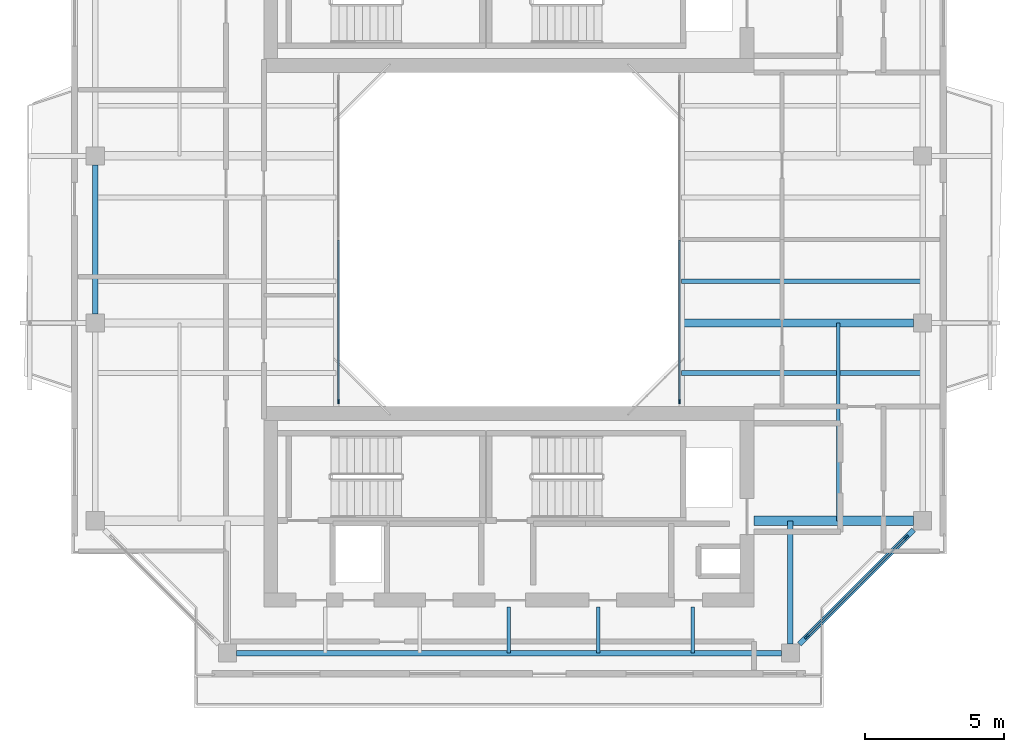
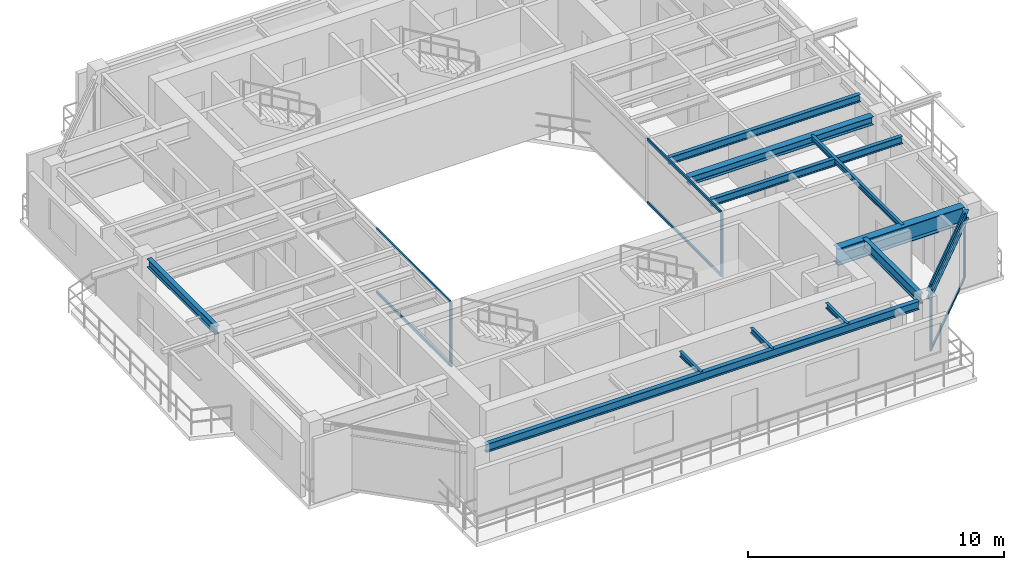
# One storey, part 4 of 15: 12 beams, 10 members, 3 elements without a shape of their own.
"""IFC4 building model written with IfcOpenShell, lengths in metres."""

from ifc_helpers import new_model, si_unit, direction, frame, origin, origin_2d, place, context, subcontext, project, spatial, rectangle, i_section, extrude, source, transform, mapped, material, layer, layer_set, material_profile, profile_set, type_object, element, aggregate, save


model = new_model("IFC4")

# Units and contexts
model_context = context("Model", 3, precision=1e-05, world=origin(), true_north=direction((0.0, 1.0)))
body_context = subcontext(model_context, "Body", "Model", "MODEL_VIEW")
ifc_project = project(units=[si_unit("LENGTHUNIT", "METRE"), si_unit("AREAUNIT", "SQUARE_METRE"), si_unit("VOLUMEUNIT", "CUBIC_METRE"), si_unit("PLANEANGLEUNIT", "RADIAN"), si_unit("MASSUNIT", "GRAM", prefix="KILO"), si_unit("THERMODYNAMICTEMPERATUREUNIT", "KELVIN"), si_unit("POWERUNIT", "WATT")], contexts=[model_context])

# Site, building, storey
site_placement = place(None, origin())
site = spatial("IfcSite", under=ifc_project, at=site_placement, CompositionType="ELEMENT")
building_placement = place(site_placement, origin())
building = spatial("IfcBuilding", under=site, at=building_placement, Name="Qiaomeng Ring Towers", CompositionType="ELEMENT")
storey_placement = place(building_placement, frame((0.0, 0.0, 237.25)))
storey = spatial("IfcBuildingStorey", under=building, at=storey_placement, Name="L69", CompositionType="ELEMENT", Elevation=237.25)

# Beams
ifc_material_1 = material(Name="Steel Q355B", Category="steel")
ifc_material_profile_1 = material_profile(ifc_material_1, i_section(OverallWidth=0.198974609375, OverallDepth=0.39599609375, WebThickness=0.007080078125, FlangeThickness=0.010986328125, FilletRadius=0.01611328125, at=origin_2d()), Name="HN 396x199x7x11")
ifc_profile_set_1 = profile_set([ifc_material_profile_1], Name="Steel Q355B")
beam_type_1 = type_object("IfcBeamType", Name="STR-BM-HN396", PredefinedType="SPANDREL", material=ifc_profile_set_1)
shared_shape_1 = source(origin(), body_context, "Body", "SweptSolid", [
    extrude(i_section(OverallWidth=0.198974609375, OverallDepth=0.39599609375, WebThickness=0.007080078125, FlangeThickness=0.010986328125, FilletRadius=0.01611328125, at=origin_2d()), origin(), (0.0, 0.0, 1.0), 19.5517578125),
])
beam_1_placement = place(storey_placement, frame((9.22412109375, 8.14990234375, 2.8720703125), z_axis=(1.0, 0.0, 0.0), x_axis=(0.0, 1.0, 0.0)))
element("IfcBeam", 1, at=beam_1_placement, inside=storey, type_object=beam_type_1, Name="L69 beam STR-SP-L69-T1-S1-S2", PredefinedType="SPANDREL", context=body_context, shape_type="MappedRepresentation", body=[
    mapped(shared_shape_1, transform((0.0, 0.0, 0.0), x_axis=(1.0, 0.0, 0.0), y_axis=(0.0, 1.0, 0.0), z_axis=(0.0, 0.0, 1.0), scale=1.0)),
])
shared_shape_2 = source(origin(), body_context, "Body", "SweptSolid", [
    extrude(i_section(OverallWidth=0.198974609375, OverallDepth=0.39599609375, WebThickness=0.007080078125, FlangeThickness=0.010986328125, FilletRadius=0.01611328125, at=origin_2d()), origin(), (0.0, 0.0, 1.0), 5.800048828125),
])
beam_2_placement = place(storey_placement, frame((29.42431640625, 8.474365234375, 2.8720703125), z_axis=(0.707106781187, 0.707106781187, 0.0), x_axis=(-0.707106781187, 0.707106781187, 0.0)))
element("IfcBeam", 2, at=beam_2_placement, inside=storey, type_object=beam_type_1, Name="L69 beam STR-SP-L69-T1-S2-E1", PredefinedType="SPANDREL", context=body_context, shape_type="MappedRepresentation", body=[
    mapped(shared_shape_2, transform((0.0, 0.0, 0.0), x_axis=(1.0, 0.0, 0.0), y_axis=(0.0, 1.0, 0.0), z_axis=(0.0, 0.0, 1.0), scale=1.0)),
])
shared_shape_3 = source(origin(), body_context, "Body", "SweptSolid", [
    extrude(i_section(OverallWidth=0.198974609375, OverallDepth=0.39599609375, WebThickness=0.007080078125, FlangeThickness=0.010986328125, FilletRadius=0.01611328125, at=origin_2d()), origin(), (0.0, 0.0, 1.0), 5.35205078125),
])
beam_3_placement = place(storey_placement, frame((4.14990234375, 25.676025390625, 2.8720703125), z_axis=(0.0, -1.0, 0.0), x_axis=(1.0, 0.0, 0.0)))
element("IfcBeam", 3, at=beam_3_placement, inside=storey, type_object=beam_type_1, Name="L69 beam STR-SP-L69-T1-W3-W2", PredefinedType="SPANDREL", context=body_context, shape_type="MappedRepresentation", body=[
    mapped(shared_shape_3, transform((0.0, 0.0, 0.0), x_axis=(1.0, 0.0, 0.0), y_axis=(0.0, 1.0, 0.0), z_axis=(0.0, 0.0, 1.0), scale=1.0)),
])
ifc_material_2 = material(Name="Steel Q390GJC", Category="steel")
ifc_material_profile_2 = material_profile(ifc_material_2, i_section(OverallWidth=0.35009765625, OverallDepth=0.800048828125, WebThickness=0.01611328125, FlangeThickness=0.028076171875, at=origin_2d()), Name="WH 800x350x16x28")
ifc_profile_set_2 = profile_set([ifc_material_profile_2], Name="Steel Q390GJC")
beam_type_2 = type_object("IfcBeamType", Name="STR-BM-WH800", PredefinedType="BEAM", material=ifc_profile_set_2)
shared_shape_4 = source(origin(), body_context, "Body", "SweptSolid", [
    extrude(i_section(OverallWidth=0.35009765625, OverallDepth=0.800048828125, WebThickness=0.01611328125, FlangeThickness=0.028076171875, at=origin_2d()), origin(), (0.0, 0.0, 1.0), 5.725830078125),
])
beam_4_placement = place(storey_placement, frame((27.800048828125, 12.89990234375, 2.669921875), z_axis=(1.0, 0.0, 0.0), x_axis=(0.0, 1.0, 0.0)))
element("IfcBeam", 4, at=beam_4_placement, inside=storey, type_object=beam_type_2, Name="L69 beam STR-BM-L69-T1-RAD-E1", PredefinedType="BEAM", context=body_context, shape_type="MappedRepresentation", body=[
    mapped(shared_shape_4, transform((0.0, 0.0, 0.0), x_axis=(1.0, 0.0, 0.0), y_axis=(0.0, 1.0, 0.0), z_axis=(0.0, 0.0, 1.0), scale=1.0)),
])
ifc_material_profile_3 = material_profile(ifc_material_1, i_section(OverallWidth=0.198974609375, OverallDepth=0.49609375, WebThickness=0.009033203125, FlangeThickness=0.013916015625, FilletRadius=0.01806640625, at=origin_2d()), Name="HN 496x199x9x14")
ifc_profile_set_3 = profile_set([ifc_material_profile_3], Name="Steel Q355B")
beam_type_3 = type_object("IfcBeamType", Name="STR-BM-HN496", PredefinedType="BEAM", material=ifc_profile_set_3)
shared_shape_5 = source(origin(), body_context, "Body", "SweptSolid", [
    extrude(i_section(OverallWidth=0.198974609375, OverallDepth=0.49609375, WebThickness=0.009033203125, FlangeThickness=0.013916015625, FilletRadius=0.01806640625, at=origin_2d()), origin(), (0.0, 0.0, 1.0), 4.42578125),
])
beam_5_placement = place(storey_placement, frame((29.10009765625, 8.47412109375, 2.822021484375), z_axis=(0.0, 1.0, 0.0), x_axis=(-1.0, 0.0, 0.0)))
element("IfcBeam", 5, at=beam_5_placement, inside=storey, type_object=beam_type_3, Name="L69 beam STR-BM-L69-T1-RAD-S2", PredefinedType="BEAM", context=body_context, shape_type="MappedRepresentation", body=[
    mapped(shared_shape_5, transform((0.0, 0.0, 0.0), x_axis=(1.0, 0.0, 0.0), y_axis=(0.0, 1.0, 0.0), z_axis=(0.0, 0.0, 1.0), scale=1.0)),
])
ifc_material_profile_4 = material_profile(ifc_material_1, i_section(OverallWidth=0.300048828125, OverallDepth=0.389892578125, WebThickness=0.010009765625, FlangeThickness=0.01611328125, FilletRadius=0.02197265625, at=origin_2d()), Name="HM 390x300x10x16")
ifc_profile_set_4 = profile_set([ifc_material_profile_4], Name="Steel Q355B")
beam_type_4 = type_object("IfcBeamType", Name="STR-BM-HM390", PredefinedType="BEAM", material=ifc_profile_set_4)
shared_shape_6 = source(origin(), body_context, "Body", "SweptSolid", [
    extrude(i_section(OverallWidth=0.300048828125, OverallDepth=0.389892578125, WebThickness=0.010009765625, FlangeThickness=0.01611328125, FilletRadius=0.02197265625, at=origin_2d()), origin(), (0.0, 0.0, 1.0), 8.325927734375),
])
beam_6_placement = place(storey_placement, frame((25.199951171875, 20.0, 2.875), z_axis=(1.0, 0.0, 0.0), x_axis=(0.0, 1.0, 0.0)))
element("IfcBeam", 6, at=beam_6_placement, inside=storey, type_object=beam_type_4, Name="L69 beam STR-BM-L69-T1-RAD-E2", PredefinedType="BEAM", context=body_context, shape_type="MappedRepresentation", body=[
    mapped(shared_shape_6, transform((0.0, 0.0, 0.0), x_axis=(1.0, 0.0, 0.0), y_axis=(0.0, 1.0, 0.0), z_axis=(0.0, 0.0, 1.0), scale=1.0)),
])
ifc_material_profile_5 = material_profile(ifc_material_1, i_section(OverallWidth=0.125, OverallDepth=0.25, WebThickness=0.006103515625, FlangeThickness=0.009033203125, FilletRadius=0.011962890625, at=origin_2d()), Name="HN 250x125x6x9")
ifc_profile_set_5 = profile_set([ifc_material_profile_5], Name="Steel Q355B")
beam_type_5 = type_object("IfcBeamType", Name="STR-BM-HN250", PredefinedType="JOIST", material=ifc_profile_set_5)
shared_shape_7 = source(origin(), body_context, "Body", "SweptSolid", [
    extrude(i_section(OverallWidth=0.125, OverallDepth=0.25, WebThickness=0.006103515625, FlangeThickness=0.009033203125, FilletRadius=0.011962890625, at=origin_2d()), origin(), (0.0, 0.0, 1.0), 1.650146484375),
])
for number, where, z_axis, x_axis, name in (
    (7, (19.0, 8.14990234375, 2.945068359375), (0.0, 1.0, 0.0), (-1.0, 0.0, 0.0), "L69 beam STR-JST-L69-T1S-3"),
    (8, (22.199951171875, 8.14990234375, 2.945068359375), (0.0, 1.0, 0.0), (-1.0, 0.0, 0.0), "L69 beam STR-JST-L69-T1S-4"),
    (9, (25.60009765625, 8.14990234375, 2.945068359375), (0.0, 1.0, 0.0), (-1.0, 0.0, 0.0), "L69 beam STR-JST-L69-T1S-5"),
):
    element("IfcBeam", number, at=place(storey_placement, frame(where, z_axis=z_axis, x_axis=x_axis)), inside=storey, type_object=beam_type_5, Name=name, PredefinedType="JOIST", context=body_context, shape_type="MappedRepresentation", body=[
        mapped(shared_shape_7, transform((0.0, 0.0, 0.0), x_axis=(1.0, 0.0, 0.0), y_axis=(0.0, 1.0, 0.0), z_axis=(0.0, 0.0, 1.0), scale=1.0)),
    ])
ifc_material_profile_6 = material_profile(ifc_material_1, i_section(OverallWidth=0.175048828125, OverallDepth=0.35009765625, WebThickness=0.007080078125, FlangeThickness=0.010986328125, FilletRadius=0.013916015625, at=origin_2d()), Name="HN 350x175x7x11")
ifc_profile_set_6 = profile_set([ifc_material_profile_6], Name="Steel Q355B")
beam_type_6 = type_object("IfcBeamType", Name="STR-BM-HN350", PredefinedType="JOIST", material=ifc_profile_set_6)
shared_shape_8 = source(origin(), body_context, "Body", "SweptSolid", [
    extrude(i_section(OverallWidth=0.175048828125, OverallDepth=0.35009765625, WebThickness=0.007080078125, FlangeThickness=0.010986328125, FilletRadius=0.013916015625, at=origin_2d()), origin(), (0.0, 0.0, 1.0), 8.650146484375),
])
for number, where, z_axis, x_axis, name in (
    (10, (25.199951171875, 18.199951171875, 2.89501953125), (1.0, 0.0, 0.0), (0.0, 1.0, 0.0), "L69 beam STR-JST-L69-T1E-1"),
    (11, (25.199951171875, 21.5, 2.89501953125), (1.0, 0.0, 0.0), (0.0, 1.0, 0.0), "L69 beam STR-JST-L69-T1E-2"),
):
    element("IfcBeam", number, at=place(storey_placement, frame(where, z_axis=z_axis, x_axis=x_axis)), inside=storey, type_object=beam_type_6, Name=name, PredefinedType="JOIST", context=body_context, shape_type="MappedRepresentation", body=[
        mapped(shared_shape_8, transform((0.0, 0.0, 0.0), x_axis=(1.0, 0.0, 0.0), y_axis=(0.0, 1.0, 0.0), z_axis=(0.0, 0.0, 1.0), scale=1.0)),
    ])
shared_shape_9 = source(origin(), body_context, "Body", "SweptSolid", [
    extrude(i_section(OverallWidth=0.125, OverallDepth=0.25, WebThickness=0.006103515625, FlangeThickness=0.009033203125, FilletRadius=0.011962890625, at=origin_2d()), origin(), (0.0, 0.0, 1.0), 7.10009765625),
])
beam_7_placement = place(storey_placement, frame((30.824951171875, 12.89990234375, 2.945068359375), z_axis=(0.0, 1.0, 0.0), x_axis=(-1.0, 0.0, 0.0)))
element("IfcBeam", 12, at=beam_7_placement, inside=storey, type_object=beam_type_5, Name="L69 beam STR-JST-L69-T1C-ES", PredefinedType="JOIST", context=body_context, shape_type="MappedRepresentation", body=[
    mapped(shared_shape_9, transform((0.0, 0.0, 0.0), x_axis=(1.0, 0.0, 0.0), y_axis=(0.0, 1.0, 0.0), z_axis=(0.0, 0.0, 1.0), scale=1.0)),
])

# Curtain wall, member
ifc_material_3 = material(Name="Fluorocarbon dark-grey aluminium", Category="aluminium")
ifc_layer_1 = layer(ifc_material_3, 0.139892578125, Name="Fluorocarbon dark-grey aluminium")
ifc_layer_set_1 = layer_set([ifc_layer_1], Name="Fluorocarbon dark-grey aluminium")
curtain_wall_type_1 = type_object("IfcCurtainWallType", Name="ARC-CW-4", PredefinedType="NOTDEFINED", material=ifc_layer_set_1)
curtain_wall_1_placement = place(storey_placement, origin())
curtain_wall_1 = element("IfcCurtainWall", 13, at=curtain_wall_1_placement, inside=storey, type_object=curtain_wall_type_1, Name="L69 Curtain Wall CW4", PredefinedType="NOTDEFINED")
ifc_material_profile_7 = material_profile(ifc_material_3, rectangle(XDim=0.06494140625, YDim=0.159912109375, at=origin_2d()), Name="ALU MULL 65x160")
ifc_profile_set_7 = profile_set([ifc_material_profile_7], Name="Fluorocarbon dark-grey aluminium")
member_type_1 = type_object("IfcMemberType", Name="ARC-CWM-140", PredefinedType="MULLION", material=ifc_profile_set_7)
shared_shape_10 = source(origin(), body_context, "Body", "SweptSolid", [
    extrude(rectangle(XDim=0.06494140625, YDim=0.159912109375, at=origin_2d()), origin(), (0.0, 0.0, 1.0), 3.070068359375),
])
member_1_placement = place(storey_placement, frame((12.8798828125, 17.1826171875, 0.0), z_axis=(0.0, 0.0, 1.0), x_axis=(-1.0, 0.0, 0.0)))
member_1 = element("IfcMember", 14, at=member_1_placement, type_object=member_type_1, Name="CW4 mullion 1", PredefinedType="MULLION", context=body_context, shape_type="MappedRepresentation", body=[
    mapped(shared_shape_10, transform((0.0, 0.0, 0.0), x_axis=(1.0, 0.0, 0.0), y_axis=(0.0, 1.0, 0.0), z_axis=(0.0, 0.0, 1.0), scale=1.0)),
])

curtain_wall_2_placement = place(storey_placement, origin())
curtain_wall_2 = element("IfcCurtainWall", 15, at=curtain_wall_2_placement, inside=storey, type_object=curtain_wall_type_1, Name="L69 Curtain Wall CW4", PredefinedType="NOTDEFINED")
member_2_placement = place(storey_placement, frame((25.1201171875, 17.1826171875, 0.0), z_axis=(0.0, 0.0, 1.0), x_axis=(-1.0, 0.0, 0.0)))
member_2 = element("IfcMember", 16, at=member_2_placement, type_object=member_type_1, Name="CW4 mullion 1", PredefinedType="MULLION", context=body_context, shape_type="MappedRepresentation", body=[
    mapped(shared_shape_10, transform((0.0, 0.0, 0.0), x_axis=(1.0, 0.0, 0.0), y_axis=(0.0, 1.0, 0.0), z_axis=(0.0, 0.0, 1.0), scale=1.0)),
])

# Member
ifc_material_profile_8 = material_profile(ifc_material_3, rectangle(XDim=0.06494140625, YDim=0.1298828125, at=origin_2d()), Name="ALU TRAN 65x130")
ifc_profile_set_8 = profile_set([ifc_material_profile_8], Name="Fluorocarbon dark-grey aluminium")
member_type_2 = type_object("IfcMemberType", Name="ARC-CWT-120", PredefinedType="USERDEFINED", material=ifc_profile_set_8)
shared_shape_11 = source(origin(), body_context, "Body", "SweptSolid", [
    extrude(rectangle(XDim=0.06494140625, YDim=0.1298828125, at=origin_2d()), origin(), (0.0, 0.0, 1.0), 5.75244140625),
])
member_3_placement = place(storey_placement, frame((12.8798828125, 17.215087890625, 0.032470703125), z_axis=(0.0, 1.0, 0.0), x_axis=(-1.0, 0.0, 0.0)))
member_3 = element("IfcMember", 17, at=member_3_placement, type_object=member_type_2, Name="CW4 transom 1.1", ObjectType="TRANSOM", PredefinedType="USERDEFINED", context=body_context, shape_type="MappedRepresentation", body=[
    mapped(shared_shape_11, transform((0.0, 0.0, 0.0), x_axis=(1.0, 0.0, 0.0), y_axis=(0.0, 1.0, 0.0), z_axis=(0.0, 0.0, 1.0), scale=1.0)),
])

member_4_placement = place(storey_placement, frame((12.8798828125, 17.215087890625, 3.03759765625), z_axis=(0.0, 1.0, 0.0), x_axis=(-1.0, 0.0, 0.0)))
member_4 = element("IfcMember", 18, at=member_4_placement, type_object=member_type_2, Name="CW4 transom 1.2", ObjectType="TRANSOM", PredefinedType="USERDEFINED", context=body_context, shape_type="MappedRepresentation", body=[
    mapped(shared_shape_11, transform((0.0, 0.0, 0.0), x_axis=(1.0, 0.0, 0.0), y_axis=(0.0, 1.0, 0.0), z_axis=(0.0, 0.0, 1.0), scale=1.0)),
])

aggregate(curtain_wall_1, [member_1, member_3, member_4])

member_5_placement = place(storey_placement, frame((25.1201171875, 17.215087890625, 0.032470703125), z_axis=(0.0, 1.0, 0.0), x_axis=(-1.0, 0.0, 0.0)))
member_5 = element("IfcMember", 19, at=member_5_placement, type_object=member_type_2, Name="CW4 transom 1.1", ObjectType="TRANSOM", PredefinedType="USERDEFINED", context=body_context, shape_type="MappedRepresentation", body=[
    mapped(shared_shape_11, transform((0.0, 0.0, 0.0), x_axis=(1.0, 0.0, 0.0), y_axis=(0.0, 1.0, 0.0), z_axis=(0.0, 0.0, 1.0), scale=1.0)),
])

member_6_placement = place(storey_placement, frame((25.1201171875, 17.215087890625, 3.03759765625), z_axis=(0.0, 1.0, 0.0), x_axis=(-1.0, 0.0, 0.0)))
member_6 = element("IfcMember", 20, at=member_6_placement, type_object=member_type_2, Name="CW4 transom 1.2", ObjectType="TRANSOM", PredefinedType="USERDEFINED", context=body_context, shape_type="MappedRepresentation", body=[
    mapped(shared_shape_11, transform((0.0, 0.0, 0.0), x_axis=(1.0, 0.0, 0.0), y_axis=(0.0, 1.0, 0.0), z_axis=(0.0, 0.0, 1.0), scale=1.0)),
])

aggregate(curtain_wall_2, [member_2, member_5, member_6])

# Curtain wall, members
ifc_layer_2 = layer(ifc_material_3, 0.14990234375, Name="Fluorocarbon dark-grey aluminium")
ifc_layer_set_2 = layer_set([ifc_layer_2], Name="Fluorocarbon dark-grey aluminium")
curtain_wall_type_2 = type_object("IfcCurtainWallType", Name="ARC-CW-3", PredefinedType="NOTDEFINED", material=ifc_layer_set_2)
curtain_wall_3_placement = place(storey_placement, origin())
curtain_wall_3 = element("IfcCurtainWall", 21, at=curtain_wall_3_placement, inside=storey, type_object=curtain_wall_type_2, Name="L69 Curtain Wall CW3", PredefinedType="NOTDEFINED")
ifc_material_profile_9 = material_profile(ifc_material_3, rectangle(XDim=0.070068359375, YDim=0.179931640625, at=origin_2d()), Name="ALU MULL 70x180")
ifc_profile_set_9 = profile_set([ifc_material_profile_9], Name="Fluorocarbon dark-grey aluminium")
member_type_3 = type_object("IfcMemberType", Name="ARC-CWM-160", PredefinedType="MULLION", material=ifc_profile_set_9)
shared_shape_12 = source(origin(), body_context, "Body", "SweptSolid", [
    extrude(rectangle(XDim=0.070068359375, YDim=0.179931640625, at=origin_2d()), origin(), (0.0, 0.0, 1.0), 3.070068359375),
])
member_7_placement = place(storey_placement, frame((29.689697265625, 8.73974609375, 0.0), z_axis=(0.0, 0.0, 1.0), x_axis=(-0.707106781187, 0.707106781187, 0.0)))
member_7 = element("IfcMember", 22, at=member_7_placement, type_object=member_type_3, Name="CW3 mullion 1", PredefinedType="MULLION", context=body_context, shape_type="MappedRepresentation", body=[
    mapped(shared_shape_12, transform((0.0, 0.0, 0.0), x_axis=(1.0, 0.0, 0.0), y_axis=(0.0, 1.0, 0.0), z_axis=(0.0, 0.0, 1.0), scale=1.0)),
])
member_8_placement = place(storey_placement, frame((33.26025390625, 12.310302734375, 0.0), z_axis=(0.0, 0.0, 1.0), x_axis=(-0.707106781187, 0.707106781187, 0.0)))
member_8 = element("IfcMember", 23, at=member_8_placement, type_object=member_type_3, Name="CW3 mullion 2", PredefinedType="MULLION", context=body_context, shape_type="MappedRepresentation", body=[
    mapped(shared_shape_12, transform((0.0, 0.0, 0.0), x_axis=(1.0, 0.0, 0.0), y_axis=(0.0, 1.0, 0.0), z_axis=(0.0, 0.0, 1.0), scale=1.0)),
])
shared_shape_13 = source(origin(), body_context, "Body", "SweptSolid", [
    extrude(rectangle(XDim=0.06494140625, YDim=0.1298828125, at=origin_2d()), origin(), (0.0, 0.0, 1.0), 4.9794921875),
])
member_9_placement = place(storey_placement, frame((29.714599609375, 8.764404296875, 0.032470703125), z_axis=(0.707106781187, 0.707106781187, 0.0), x_axis=(-0.707106781187, 0.707106781187, 0.0)))
member_9 = element("IfcMember", 24, at=member_9_placement, type_object=member_type_2, Name="CW3 transom 1.1", ObjectType="TRANSOM", PredefinedType="USERDEFINED", context=body_context, shape_type="MappedRepresentation", body=[
    mapped(shared_shape_13, transform((0.0, 0.0, 0.0), x_axis=(1.0, 0.0, 0.0), y_axis=(0.0, 1.0, 0.0), z_axis=(0.0, 0.0, 1.0), scale=1.0)),
])
member_10_placement = place(storey_placement, frame((29.714599609375, 8.764404296875, 3.03759765625), z_axis=(0.707106781187, 0.707106781187, 0.0), x_axis=(-0.707106781187, 0.707106781187, 0.0)))
member_10 = element("IfcMember", 25, at=member_10_placement, type_object=member_type_2, Name="CW3 transom 1.2", ObjectType="TRANSOM", PredefinedType="USERDEFINED", context=body_context, shape_type="MappedRepresentation", body=[
    mapped(shared_shape_13, transform((0.0, 0.0, 0.0), x_axis=(1.0, 0.0, 0.0), y_axis=(0.0, 1.0, 0.0), z_axis=(0.0, 0.0, 1.0), scale=1.0)),
])
aggregate(curtain_wall_3, [member_7, member_8, member_9, member_10])

save(model, "model.ifc")
